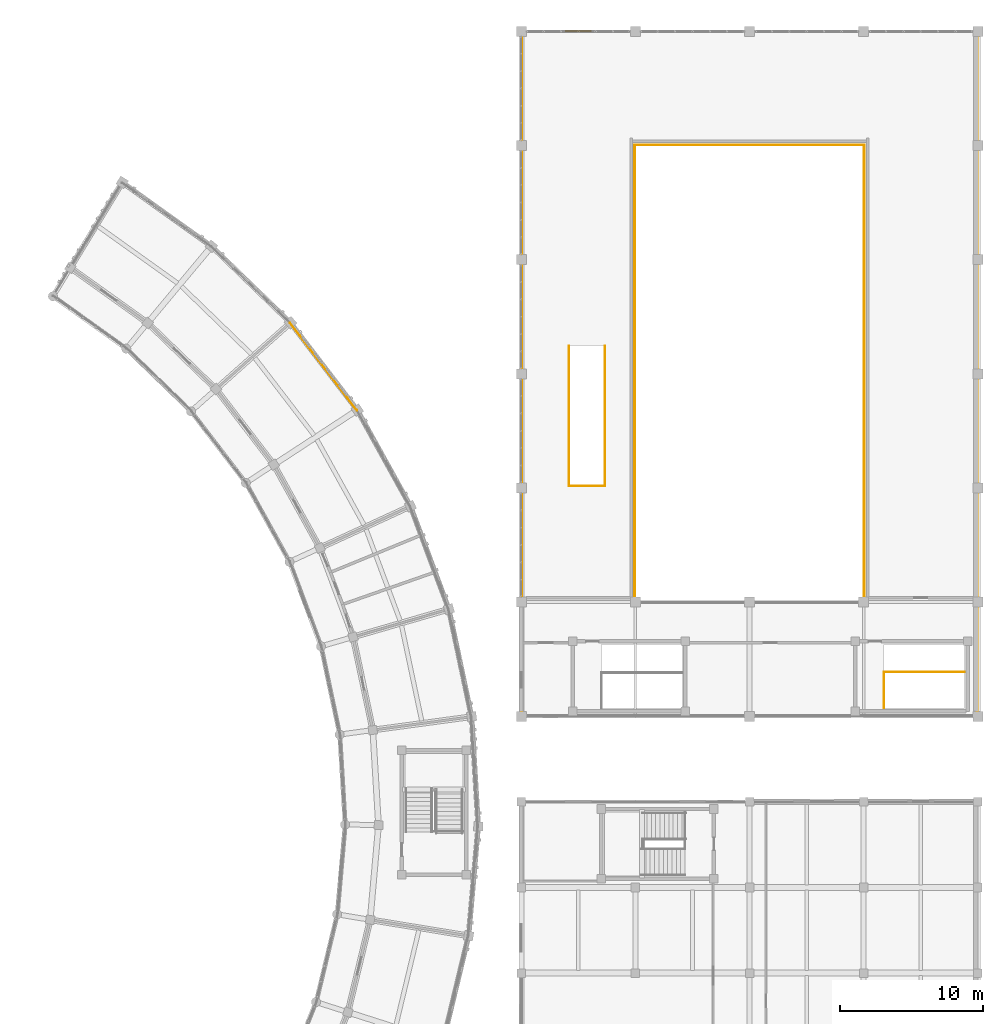
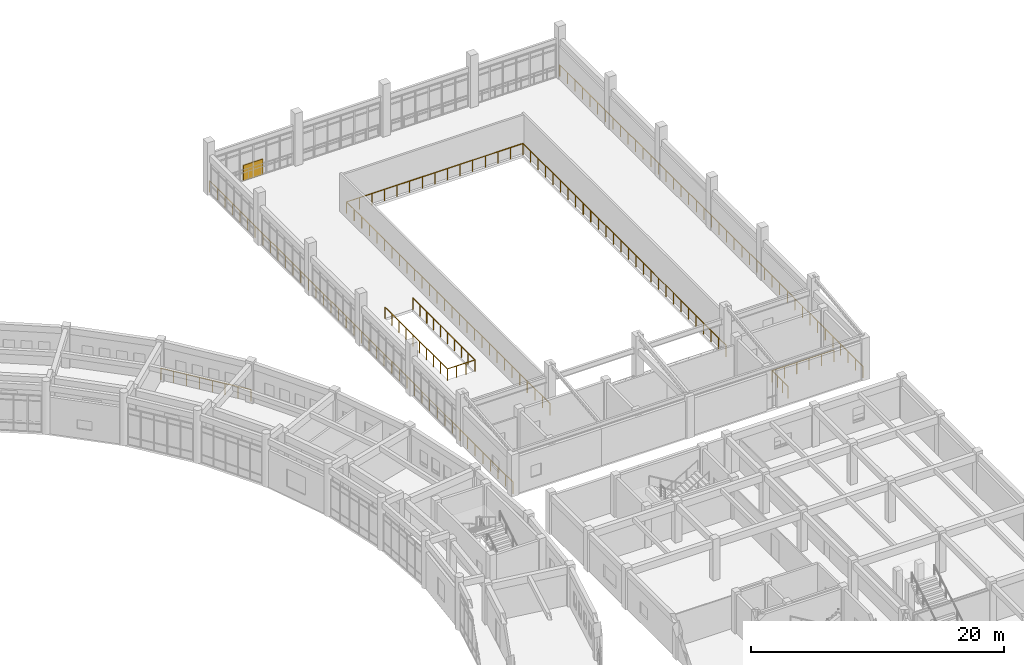
# One storey, part 158 of 159: 11 railings, 1 shading device.
"""IFC4 building model written with IfcOpenShell, lengths in metres."""

from ifc_helpers import new_model, si_unit, direction, frame, origin, origin_2d, place, context, subcontext, project, spatial, rectangle, circle, extrude, material, type_object, element, save


model = new_model("IFC4")

# Units and contexts
model_context = context("Model", 3, precision=1e-05, world=origin(), true_north=direction((0.0, 1.0)))
body_context = subcontext(model_context, "Body", "Model", "MODEL_VIEW")
ifc_project = project(units=[si_unit("LENGTHUNIT", "METRE"), si_unit("AREAUNIT", "SQUARE_METRE"), si_unit("VOLUMEUNIT", "CUBIC_METRE"), si_unit("PLANEANGLEUNIT", "RADIAN"), si_unit("MASSUNIT", "GRAM", prefix="KILO")], contexts=[model_context])

# Site, building, storey
site_placement = place(None, origin())
site = spatial("IfcSite", under=ifc_project, at=site_placement, CompositionType="ELEMENT")
building_placement = place(site_placement, origin())
building = spatial("IfcBuilding", under=site, at=building_placement, Name="Celadon Cloister-Ring School", CompositionType="ELEMENT")
storey_placement = place(building_placement, frame((0.0, 0.0, 4.5)))
storey = spatial("IfcBuildingStorey", under=building, at=storey_placement, Name="L01", CompositionType="ELEMENT", Elevation=4.5)

# Railings
ifc_material_1 = material(Name="Structural steel S355JR", Category="steel")
railing_type_1 = type_object("IfcRailingType", Name="RL-BL1", PredefinedType="BALUSTRADE", material=ifc_material_1)
railing_1_placement = place(storey_placement, frame((130.48193359375, 87.445068359375, 0.0)))
element("IfcRailing", 1, at=railing_1_placement, inside=storey, type_object=railing_type_1, Name="Terrace Balustrade 0033", PredefinedType="BALUSTRADE", context=body_context, shape_type="SweptSolid", body=[
    extrude(circle(Radius=0.02392578125, at=origin_2d()), frame((0.0, 0.0, 1.09619140625), z_axis=(-0.607877382965, 0.794030910783, 0.0), x_axis=(-0.794030910783, -0.607877382965, 0.0)), (0.0, 0.0, 1.0), 7.697265625),
    extrude(circle(Radius=0.02099609375, at=origin_2d()), origin(), (0.0, 0.0, 1.0), 1.072021484375),
    extrude(circle(Radius=0.02099609375, at=origin_2d()), frame((-0.66845703125, 0.873046875, 0.0)), (0.0, 0.0, 1.0), 1.072021484375),
    extrude(circle(Radius=0.02099609375, at=origin_2d()), frame((-1.3369140625, 1.746337890625, 0.0)), (0.0, 0.0, 1.0), 1.072021484375),
    extrude(circle(Radius=0.02099609375, at=origin_2d()), frame((-2.00537109375, 2.619384765625, 0.0)), (0.0, 0.0, 1.0), 1.072021484375),
    extrude(circle(Radius=0.02099609375, at=origin_2d()), frame((-2.673583984375, 3.492431640625, 0.0)), (0.0, 0.0, 1.0), 1.072021484375),
    extrude(circle(Radius=0.02099609375, at=origin_2d()), frame((-3.342041015625, 4.365478515625, 0.0)), (0.0, 0.0, 1.0), 1.072021484375),
    extrude(circle(Radius=0.02099609375, at=origin_2d()), frame((-4.010498046875, 5.23876953125, 0.0)), (0.0, 0.0, 1.0), 1.072021484375),
    extrude(circle(Radius=0.02099609375, at=origin_2d()), frame((-4.678955078125, 6.11181640625, 0.0)), (0.0, 0.0, 1.0), 1.072021484375),
])
railing_2_placement = place(storey_placement, frame((149.9599609375, 73.9599609375, 0.0)))
element("IfcRailing", 2, at=railing_2_placement, inside=storey, type_object=railing_type_1, Name="Terrace Balustrade 0409", PredefinedType="BALUSTRADE", context=body_context, shape_type="SweptSolid", body=[
    extrude(circle(Radius=0.02392578125, at=origin_2d()), frame((0.0, 0.0, 1.09619140625), z_axis=(0.0, 1.0, 0.0), x_axis=(-1.0, 0.0, 0.0)), (0.0, 0.0, 1.0), 32.080078125),
    extrude(circle(Radius=0.02099609375, at=origin_2d()), origin(), (0.0, 0.0, 1.0), 1.072021484375),
    extrude(circle(Radius=0.02099609375, at=origin_2d()), frame((0.0, 1.188232421875, 0.0)), (0.0, 0.0, 1.0), 1.072021484375),
    extrude(circle(Radius=0.02099609375, at=origin_2d()), frame((0.0, 2.376220703125, 0.0)), (0.0, 0.0, 1.0), 1.072021484375),
    extrude(circle(Radius=0.02099609375, at=origin_2d()), frame((0.0, 3.564453125, 0.0)), (0.0, 0.0, 1.0), 1.072021484375),
    extrude(circle(Radius=0.02099609375, at=origin_2d()), frame((0.0, 4.752685546875, 0.0)), (0.0, 0.0, 1.0), 1.072021484375),
    extrude(circle(Radius=0.02099609375, at=origin_2d()), frame((0.0, 5.940673828125, 0.0)), (0.0, 0.0, 1.0), 1.072021484375),
    extrude(circle(Radius=0.02099609375, at=origin_2d()), frame((0.0, 7.12890625, 0.0)), (0.0, 0.0, 1.0), 1.072021484375),
    extrude(circle(Radius=0.02099609375, at=origin_2d()), frame((0.0, 8.317138671875, 0.0)), (0.0, 0.0, 1.0), 1.072021484375),
    extrude(circle(Radius=0.02099609375, at=origin_2d()), frame((0.0, 9.505126953125, 0.0)), (0.0, 0.0, 1.0), 1.072021484375),
    extrude(circle(Radius=0.02099609375, at=origin_2d()), frame((0.0, 10.693359375, 0.0)), (0.0, 0.0, 1.0), 1.072021484375),
    extrude(circle(Radius=0.02099609375, at=origin_2d()), frame((0.0, 11.881591796875, 0.0)), (0.0, 0.0, 1.0), 1.072021484375),
    extrude(circle(Radius=0.02099609375, at=origin_2d()), frame((0.0, 13.069580078125, 0.0)), (0.0, 0.0, 1.0), 1.072021484375),
    extrude(circle(Radius=0.02099609375, at=origin_2d()), frame((0.0, 14.2578125, 0.0)), (0.0, 0.0, 1.0), 1.072021484375),
    extrude(circle(Radius=0.02099609375, at=origin_2d()), frame((0.0, 15.446044921875, 0.0)), (0.0, 0.0, 1.0), 1.072021484375),
    extrude(circle(Radius=0.02099609375, at=origin_2d()), frame((0.0, 16.634033203125, 0.0)), (0.0, 0.0, 1.0), 1.072021484375),
    extrude(circle(Radius=0.02099609375, at=origin_2d()), frame((0.0, 17.822265625, 0.0)), (0.0, 0.0, 1.0), 1.072021484375),
    extrude(circle(Radius=0.02099609375, at=origin_2d()), frame((0.0, 19.010498046875, 0.0)), (0.0, 0.0, 1.0), 1.072021484375),
    extrude(circle(Radius=0.02099609375, at=origin_2d()), frame((0.0, 20.198486328125, 0.0)), (0.0, 0.0, 1.0), 1.072021484375),
    extrude(circle(Radius=0.02099609375, at=origin_2d()), frame((0.0, 21.38671875, 0.0)), (0.0, 0.0, 1.0), 1.072021484375),
    extrude(circle(Radius=0.02099609375, at=origin_2d()), frame((0.0, 22.574951171875, 0.0)), (0.0, 0.0, 1.0), 1.072021484375),
    extrude(circle(Radius=0.02099609375, at=origin_2d()), frame((0.0, 23.762939453125, 0.0)), (0.0, 0.0, 1.0), 1.072021484375),
    extrude(circle(Radius=0.02099609375, at=origin_2d()), frame((0.0, 24.951171875, 0.0)), (0.0, 0.0, 1.0), 1.072021484375),
    extrude(circle(Radius=0.02099609375, at=origin_2d()), frame((0.0, 26.139404296875, 0.0)), (0.0, 0.0, 1.0), 1.072021484375),
    extrude(circle(Radius=0.02099609375, at=origin_2d()), frame((0.0, 27.327392578125, 0.0)), (0.0, 0.0, 1.0), 1.072021484375),
    extrude(circle(Radius=0.02099609375, at=origin_2d()), frame((0.0, 28.515625, 0.0)), (0.0, 0.0, 1.0), 1.072021484375),
    extrude(circle(Radius=0.02099609375, at=origin_2d()), frame((0.0, 29.703857421875, 0.0)), (0.0, 0.0, 1.0), 1.072021484375),
    extrude(circle(Radius=0.02099609375, at=origin_2d()), frame((0.0, 30.891845703125, 0.0)), (0.0, 0.0, 1.0), 1.072021484375),
    extrude(circle(Radius=0.02099609375, at=origin_2d()), frame((0.0, 32.080078125, 0.0)), (0.0, 0.0, 1.0), 1.072021484375),
])
railing_3_placement = place(storey_placement, frame((149.9599609375, 106.0400390625, 0.0)))
element("IfcRailing", 3, at=railing_3_placement, inside=storey, type_object=railing_type_1, Name="Terrace Balustrade 0410", PredefinedType="BALUSTRADE", context=body_context, shape_type="SweptSolid", body=[
    extrude(circle(Radius=0.02392578125, at=origin_2d()), frame((0.0, 0.0, 1.09619140625), z_axis=(1.0, 0.0, 0.0), x_axis=(0.0, 1.0, 0.0)), (0.0, 0.0, 1.0), 16.080078125),
    extrude(circle(Radius=0.02099609375, at=origin_2d()), origin(), (0.0, 0.0, 1.0), 1.072021484375),
    extrude(circle(Radius=0.02099609375, at=origin_2d()), frame((1.148681640625, 0.0, 0.0)), (0.0, 0.0, 1.0), 1.072021484375),
    extrude(circle(Radius=0.02099609375, at=origin_2d()), frame((2.297119140625, 0.0, 0.0)), (0.0, 0.0, 1.0), 1.072021484375),
    extrude(circle(Radius=0.02099609375, at=origin_2d()), frame((3.44580078125, 0.0, 0.0)), (0.0, 0.0, 1.0), 1.072021484375),
    extrude(circle(Radius=0.02099609375, at=origin_2d()), frame((4.59423828125, 0.0, 0.0)), (0.0, 0.0, 1.0), 1.072021484375),
    extrude(circle(Radius=0.02099609375, at=origin_2d()), frame((5.742919921875, 0.0, 0.0)), (0.0, 0.0, 1.0), 1.072021484375),
    extrude(circle(Radius=0.02099609375, at=origin_2d()), frame((6.891357421875, 0.0, 0.0)), (0.0, 0.0, 1.0), 1.072021484375),
    extrude(circle(Radius=0.02099609375, at=origin_2d()), frame((8.0400390625, 0.0, 0.0)), (0.0, 0.0, 1.0), 1.072021484375),
    extrude(circle(Radius=0.02099609375, at=origin_2d()), frame((9.188720703125, 0.0, 0.0)), (0.0, 0.0, 1.0), 1.072021484375),
    extrude(circle(Radius=0.02099609375, at=origin_2d()), frame((10.337158203125, 0.0, 0.0)), (0.0, 0.0, 1.0), 1.072021484375),
    extrude(circle(Radius=0.02099609375, at=origin_2d()), frame((11.48583984375, 0.0, 0.0)), (0.0, 0.0, 1.0), 1.072021484375),
    extrude(circle(Radius=0.02099609375, at=origin_2d()), frame((12.63427734375, 0.0, 0.0)), (0.0, 0.0, 1.0), 1.072021484375),
    extrude(circle(Radius=0.02099609375, at=origin_2d()), frame((13.782958984375, 0.0, 0.0)), (0.0, 0.0, 1.0), 1.072021484375),
    extrude(circle(Radius=0.02099609375, at=origin_2d()), frame((14.931396484375, 0.0, 0.0)), (0.0, 0.0, 1.0), 1.072021484375),
    extrude(circle(Radius=0.02099609375, at=origin_2d()), frame((16.080078125, 0.0, 0.0)), (0.0, 0.0, 1.0), 1.072021484375),
])
railing_4_placement = place(storey_placement, frame((166.0400390625, 106.0400390625, 0.0)))
element("IfcRailing", 4, at=railing_4_placement, inside=storey, type_object=railing_type_1, Name="Terrace Balustrade 0411", PredefinedType="BALUSTRADE", context=body_context, shape_type="SweptSolid", body=[
    extrude(circle(Radius=0.02392578125, at=origin_2d()), frame((0.0, 0.0, 1.09619140625), z_axis=(0.0, -1.0, 0.0), x_axis=(1.0, 0.0, 0.0)), (0.0, 0.0, 1.0), 32.080078125),
    extrude(circle(Radius=0.02099609375, at=origin_2d()), origin(), (0.0, 0.0, 1.0), 1.072021484375),
    extrude(circle(Radius=0.02099609375, at=origin_2d()), frame((0.0, -1.188232421875, 0.0)), (0.0, 0.0, 1.0), 1.072021484375),
    extrude(circle(Radius=0.02099609375, at=origin_2d()), frame((0.0, -2.376220703125, 0.0)), (0.0, 0.0, 1.0), 1.072021484375),
    extrude(circle(Radius=0.02099609375, at=origin_2d()), frame((0.0, -3.564453125, 0.0)), (0.0, 0.0, 1.0), 1.072021484375),
    extrude(circle(Radius=0.02099609375, at=origin_2d()), frame((0.0, -4.752685546875, 0.0)), (0.0, 0.0, 1.0), 1.072021484375),
    extrude(circle(Radius=0.02099609375, at=origin_2d()), frame((0.0, -5.940673828125, 0.0)), (0.0, 0.0, 1.0), 1.072021484375),
    extrude(circle(Radius=0.02099609375, at=origin_2d()), frame((0.0, -7.12890625, 0.0)), (0.0, 0.0, 1.0), 1.072021484375),
    extrude(circle(Radius=0.02099609375, at=origin_2d()), frame((0.0, -8.317138671875, 0.0)), (0.0, 0.0, 1.0), 1.072021484375),
    extrude(circle(Radius=0.02099609375, at=origin_2d()), frame((0.0, -9.505126953125, 0.0)), (0.0, 0.0, 1.0), 1.072021484375),
    extrude(circle(Radius=0.02099609375, at=origin_2d()), frame((0.0, -10.693359375, 0.0)), (0.0, 0.0, 1.0), 1.072021484375),
    extrude(circle(Radius=0.02099609375, at=origin_2d()), frame((0.0, -11.881591796875, 0.0)), (0.0, 0.0, 1.0), 1.072021484375),
    extrude(circle(Radius=0.02099609375, at=origin_2d()), frame((0.0, -13.069580078125, 0.0)), (0.0, 0.0, 1.0), 1.072021484375),
    extrude(circle(Radius=0.02099609375, at=origin_2d()), frame((0.0, -14.2578125, 0.0)), (0.0, 0.0, 1.0), 1.072021484375),
    extrude(circle(Radius=0.02099609375, at=origin_2d()), frame((0.0, -15.446044921875, 0.0)), (0.0, 0.0, 1.0), 1.072021484375),
    extrude(circle(Radius=0.02099609375, at=origin_2d()), frame((0.0, -16.634033203125, 0.0)), (0.0, 0.0, 1.0), 1.072021484375),
    extrude(circle(Radius=0.02099609375, at=origin_2d()), frame((0.0, -17.822265625, 0.0)), (0.0, 0.0, 1.0), 1.072021484375),
    extrude(circle(Radius=0.02099609375, at=origin_2d()), frame((0.0, -19.010498046875, 0.0)), (0.0, 0.0, 1.0), 1.072021484375),
    extrude(circle(Radius=0.02099609375, at=origin_2d()), frame((0.0, -20.198486328125, 0.0)), (0.0, 0.0, 1.0), 1.072021484375),
    extrude(circle(Radius=0.02099609375, at=origin_2d()), frame((0.0, -21.38671875, 0.0)), (0.0, 0.0, 1.0), 1.072021484375),
    extrude(circle(Radius=0.02099609375, at=origin_2d()), frame((0.0, -22.574951171875, 0.0)), (0.0, 0.0, 1.0), 1.072021484375),
    extrude(circle(Radius=0.02099609375, at=origin_2d()), frame((0.0, -23.762939453125, 0.0)), (0.0, 0.0, 1.0), 1.072021484375),
    extrude(circle(Radius=0.02099609375, at=origin_2d()), frame((0.0, -24.951171875, 0.0)), (0.0, 0.0, 1.0), 1.072021484375),
    extrude(circle(Radius=0.02099609375, at=origin_2d()), frame((0.0, -26.139404296875, 0.0)), (0.0, 0.0, 1.0), 1.072021484375),
    extrude(circle(Radius=0.02099609375, at=origin_2d()), frame((0.0, -27.327392578125, 0.0)), (0.0, 0.0, 1.0), 1.072021484375),
    extrude(circle(Radius=0.02099609375, at=origin_2d()), frame((0.0, -28.515625, 0.0)), (0.0, 0.0, 1.0), 1.072021484375),
    extrude(circle(Radius=0.02099609375, at=origin_2d()), frame((0.0, -29.703857421875, 0.0)), (0.0, 0.0, 1.0), 1.072021484375),
    extrude(circle(Radius=0.02099609375, at=origin_2d()), frame((0.0, -30.891845703125, 0.0)), (0.0, 0.0, 1.0), 1.072021484375),
    extrude(circle(Radius=0.02099609375, at=origin_2d()), frame((0.0, -32.080078125, 0.0)), (0.0, 0.0, 1.0), 1.072021484375),
])
railing_5_placement = place(storey_placement, frame((173.9599609375, 66.0400390625, 0.0)))
element("IfcRailing", 5, at=railing_5_placement, inside=storey, type_object=railing_type_1, Name="Terrace Balustrade 0414", PredefinedType="BALUSTRADE", context=body_context, shape_type="SweptSolid", body=[
    extrude(circle(Radius=0.02392578125, at=origin_2d()), frame((0.0, 0.0, 1.09619140625), z_axis=(0.0, 1.0, 0.0), x_axis=(-1.0, 0.0, 0.0)), (0.0, 0.0, 1.0), 47.919921875),
    extrude(circle(Radius=0.02099609375, at=origin_2d()), origin(), (0.0, 0.0, 1.0), 1.072021484375),
    extrude(circle(Radius=0.02099609375, at=origin_2d()), frame((0.0, 1.197998046875, 0.0)), (0.0, 0.0, 1.0), 1.072021484375),
    extrude(circle(Radius=0.02099609375, at=origin_2d()), frame((0.0, 2.39599609375, 0.0)), (0.0, 0.0, 1.0), 1.072021484375),
    extrude(circle(Radius=0.02099609375, at=origin_2d()), frame((0.0, 3.593994140625, 0.0)), (0.0, 0.0, 1.0), 1.072021484375),
    extrude(circle(Radius=0.02099609375, at=origin_2d()), frame((0.0, 4.7919921875, 0.0)), (0.0, 0.0, 1.0), 1.072021484375),
    extrude(circle(Radius=0.02099609375, at=origin_2d()), frame((0.0, 5.989990234375, 0.0)), (0.0, 0.0, 1.0), 1.072021484375),
    extrude(circle(Radius=0.02099609375, at=origin_2d()), frame((0.0, 7.18798828125, 0.0)), (0.0, 0.0, 1.0), 1.072021484375),
    extrude(circle(Radius=0.02099609375, at=origin_2d()), frame((0.0, 8.385986328125, 0.0)), (0.0, 0.0, 1.0), 1.072021484375),
    extrude(circle(Radius=0.02099609375, at=origin_2d()), frame((0.0, 9.583984375, 0.0)), (0.0, 0.0, 1.0), 1.072021484375),
    extrude(circle(Radius=0.02099609375, at=origin_2d()), frame((0.0, 10.781982421875, 0.0)), (0.0, 0.0, 1.0), 1.072021484375),
    extrude(circle(Radius=0.02099609375, at=origin_2d()), frame((0.0, 11.97998046875, 0.0)), (0.0, 0.0, 1.0), 1.072021484375),
    extrude(circle(Radius=0.02099609375, at=origin_2d()), frame((0.0, 13.177978515625, 0.0)), (0.0, 0.0, 1.0), 1.072021484375),
    extrude(circle(Radius=0.02099609375, at=origin_2d()), frame((0.0, 14.3759765625, 0.0)), (0.0, 0.0, 1.0), 1.072021484375),
    extrude(circle(Radius=0.02099609375, at=origin_2d()), frame((0.0, 15.573974609375, 0.0)), (0.0, 0.0, 1.0), 1.072021484375),
    extrude(circle(Radius=0.02099609375, at=origin_2d()), frame((0.0, 16.77197265625, 0.0)), (0.0, 0.0, 1.0), 1.072021484375),
    extrude(circle(Radius=0.02099609375, at=origin_2d()), frame((0.0, 17.969970703125, 0.0)), (0.0, 0.0, 1.0), 1.072021484375),
    extrude(circle(Radius=0.02099609375, at=origin_2d()), frame((0.0, 19.16796875, 0.0)), (0.0, 0.0, 1.0), 1.072021484375),
    extrude(circle(Radius=0.02099609375, at=origin_2d()), frame((0.0, 20.365966796875, 0.0)), (0.0, 0.0, 1.0), 1.072021484375),
    extrude(circle(Radius=0.02099609375, at=origin_2d()), frame((0.0, 21.56396484375, 0.0)), (0.0, 0.0, 1.0), 1.072021484375),
    extrude(circle(Radius=0.02099609375, at=origin_2d()), frame((0.0, 22.761962890625, 0.0)), (0.0, 0.0, 1.0), 1.072021484375),
    extrude(circle(Radius=0.02099609375, at=origin_2d()), frame((0.0, 23.9599609375, 0.0)), (0.0, 0.0, 1.0), 1.072021484375),
    extrude(circle(Radius=0.02099609375, at=origin_2d()), frame((0.0, 25.157958984375, 0.0)), (0.0, 0.0, 1.0), 1.072021484375),
    extrude(circle(Radius=0.02099609375, at=origin_2d()), frame((0.0, 26.35595703125, 0.0)), (0.0, 0.0, 1.0), 1.072021484375),
    extrude(circle(Radius=0.02099609375, at=origin_2d()), frame((0.0, 27.553955078125, 0.0)), (0.0, 0.0, 1.0), 1.072021484375),
    extrude(circle(Radius=0.02099609375, at=origin_2d()), frame((0.0, 28.751953125, 0.0)), (0.0, 0.0, 1.0), 1.072021484375),
    extrude(circle(Radius=0.02099609375, at=origin_2d()), frame((0.0, 29.949951171875, 0.0)), (0.0, 0.0, 1.0), 1.072021484375),
    extrude(circle(Radius=0.02099609375, at=origin_2d()), frame((0.0, 31.14794921875, 0.0)), (0.0, 0.0, 1.0), 1.072021484375),
    extrude(circle(Radius=0.02099609375, at=origin_2d()), frame((0.0, 32.345947265625, 0.0)), (0.0, 0.0, 1.0), 1.072021484375),
    extrude(circle(Radius=0.02099609375, at=origin_2d()), frame((0.0, 33.5439453125, 0.0)), (0.0, 0.0, 1.0), 1.072021484375),
    extrude(circle(Radius=0.02099609375, at=origin_2d()), frame((0.0, 34.741943359375, 0.0)), (0.0, 0.0, 1.0), 1.072021484375),
    extrude(circle(Radius=0.02099609375, at=origin_2d()), frame((0.0, 35.93994140625, 0.0)), (0.0, 0.0, 1.0), 1.072021484375),
    extrude(circle(Radius=0.02099609375, at=origin_2d()), frame((0.0, 37.137939453125, 0.0)), (0.0, 0.0, 1.0), 1.072021484375),
    extrude(circle(Radius=0.02099609375, at=origin_2d()), frame((0.0, 38.3359375, 0.0)), (0.0, 0.0, 1.0), 1.072021484375),
    extrude(circle(Radius=0.02099609375, at=origin_2d()), frame((0.0, 39.533935546875, 0.0)), (0.0, 0.0, 1.0), 1.072021484375),
    extrude(circle(Radius=0.02099609375, at=origin_2d()), frame((0.0, 40.73193359375, 0.0)), (0.0, 0.0, 1.0), 1.072021484375),
    extrude(circle(Radius=0.02099609375, at=origin_2d()), frame((0.0, 41.929931640625, 0.0)), (0.0, 0.0, 1.0), 1.072021484375),
    extrude(circle(Radius=0.02099609375, at=origin_2d()), frame((0.0, 43.1279296875, 0.0)), (0.0, 0.0, 1.0), 1.072021484375),
    extrude(circle(Radius=0.02099609375, at=origin_2d()), frame((0.0, 44.325927734375, 0.0)), (0.0, 0.0, 1.0), 1.072021484375),
    extrude(circle(Radius=0.02099609375, at=origin_2d()), frame((0.0, 45.52392578125, 0.0)), (0.0, 0.0, 1.0), 1.072021484375),
    extrude(circle(Radius=0.02099609375, at=origin_2d()), frame((0.0, 46.721923828125, 0.0)), (0.0, 0.0, 1.0), 1.072021484375),
    extrude(circle(Radius=0.02099609375, at=origin_2d()), frame((0.0, 47.919921875, 0.0)), (0.0, 0.0, 1.0), 1.072021484375),
])
railing_6_placement = place(storey_placement, frame((142.0400390625, 113.9599609375, 0.0)))
element("IfcRailing", 6, at=railing_6_placement, inside=storey, type_object=railing_type_1, Name="Terrace Balustrade 0416", PredefinedType="BALUSTRADE", context=body_context, shape_type="SweptSolid", body=[
    extrude(circle(Radius=0.02392578125, at=origin_2d()), frame((0.0, 0.0, 1.09619140625), z_axis=(0.0, -1.0, 0.0), x_axis=(1.0, 0.0, 0.0)), (0.0, 0.0, 1.0), 47.919921875),
    extrude(circle(Radius=0.02099609375, at=origin_2d()), origin(), (0.0, 0.0, 1.0), 1.072021484375),
    extrude(circle(Radius=0.02099609375, at=origin_2d()), frame((0.0, -1.197998046875, 0.0)), (0.0, 0.0, 1.0), 1.072021484375),
    extrude(circle(Radius=0.02099609375, at=origin_2d()), frame((0.0, -2.39599609375, 0.0)), (0.0, 0.0, 1.0), 1.072021484375),
    extrude(circle(Radius=0.02099609375, at=origin_2d()), frame((0.0, -3.593994140625, 0.0)), (0.0, 0.0, 1.0), 1.072021484375),
    extrude(circle(Radius=0.02099609375, at=origin_2d()), frame((0.0, -4.7919921875, 0.0)), (0.0, 0.0, 1.0), 1.072021484375),
    extrude(circle(Radius=0.02099609375, at=origin_2d()), frame((0.0, -5.989990234375, 0.0)), (0.0, 0.0, 1.0), 1.072021484375),
    extrude(circle(Radius=0.02099609375, at=origin_2d()), frame((0.0, -7.18798828125, 0.0)), (0.0, 0.0, 1.0), 1.072021484375),
    extrude(circle(Radius=0.02099609375, at=origin_2d()), frame((0.0, -8.385986328125, 0.0)), (0.0, 0.0, 1.0), 1.072021484375),
    extrude(circle(Radius=0.02099609375, at=origin_2d()), frame((0.0, -9.583984375, 0.0)), (0.0, 0.0, 1.0), 1.072021484375),
    extrude(circle(Radius=0.02099609375, at=origin_2d()), frame((0.0, -10.781982421875, 0.0)), (0.0, 0.0, 1.0), 1.072021484375),
    extrude(circle(Radius=0.02099609375, at=origin_2d()), frame((0.0, -11.97998046875, 0.0)), (0.0, 0.0, 1.0), 1.072021484375),
    extrude(circle(Radius=0.02099609375, at=origin_2d()), frame((0.0, -13.177978515625, 0.0)), (0.0, 0.0, 1.0), 1.072021484375),
    extrude(circle(Radius=0.02099609375, at=origin_2d()), frame((0.0, -14.3759765625, 0.0)), (0.0, 0.0, 1.0), 1.072021484375),
    extrude(circle(Radius=0.02099609375, at=origin_2d()), frame((0.0, -15.573974609375, 0.0)), (0.0, 0.0, 1.0), 1.072021484375),
    extrude(circle(Radius=0.02099609375, at=origin_2d()), frame((0.0, -16.77197265625, 0.0)), (0.0, 0.0, 1.0), 1.072021484375),
    extrude(circle(Radius=0.02099609375, at=origin_2d()), frame((0.0, -17.969970703125, 0.0)), (0.0, 0.0, 1.0), 1.072021484375),
    extrude(circle(Radius=0.02099609375, at=origin_2d()), frame((0.0, -19.16796875, 0.0)), (0.0, 0.0, 1.0), 1.072021484375),
    extrude(circle(Radius=0.02099609375, at=origin_2d()), frame((0.0, -20.365966796875, 0.0)), (0.0, 0.0, 1.0), 1.072021484375),
    extrude(circle(Radius=0.02099609375, at=origin_2d()), frame((0.0, -21.56396484375, 0.0)), (0.0, 0.0, 1.0), 1.072021484375),
    extrude(circle(Radius=0.02099609375, at=origin_2d()), frame((0.0, -22.761962890625, 0.0)), (0.0, 0.0, 1.0), 1.072021484375),
    extrude(circle(Radius=0.02099609375, at=origin_2d()), frame((0.0, -23.9599609375, 0.0)), (0.0, 0.0, 1.0), 1.072021484375),
    extrude(circle(Radius=0.02099609375, at=origin_2d()), frame((0.0, -25.157958984375, 0.0)), (0.0, 0.0, 1.0), 1.072021484375),
    extrude(circle(Radius=0.02099609375, at=origin_2d()), frame((0.0, -26.35595703125, 0.0)), (0.0, 0.0, 1.0), 1.072021484375),
    extrude(circle(Radius=0.02099609375, at=origin_2d()), frame((0.0, -27.553955078125, 0.0)), (0.0, 0.0, 1.0), 1.072021484375),
    extrude(circle(Radius=0.02099609375, at=origin_2d()), frame((0.0, -28.751953125, 0.0)), (0.0, 0.0, 1.0), 1.072021484375),
    extrude(circle(Radius=0.02099609375, at=origin_2d()), frame((0.0, -29.949951171875, 0.0)), (0.0, 0.0, 1.0), 1.072021484375),
    extrude(circle(Radius=0.02099609375, at=origin_2d()), frame((0.0, -31.14794921875, 0.0)), (0.0, 0.0, 1.0), 1.072021484375),
    extrude(circle(Radius=0.02099609375, at=origin_2d()), frame((0.0, -32.345947265625, 0.0)), (0.0, 0.0, 1.0), 1.072021484375),
    extrude(circle(Radius=0.02099609375, at=origin_2d()), frame((0.0, -33.5439453125, 0.0)), (0.0, 0.0, 1.0), 1.072021484375),
    extrude(circle(Radius=0.02099609375, at=origin_2d()), frame((0.0, -34.741943359375, 0.0)), (0.0, 0.0, 1.0), 1.072021484375),
    extrude(circle(Radius=0.02099609375, at=origin_2d()), frame((0.0, -35.93994140625, 0.0)), (0.0, 0.0, 1.0), 1.072021484375),
    extrude(circle(Radius=0.02099609375, at=origin_2d()), frame((0.0, -37.137939453125, 0.0)), (0.0, 0.0, 1.0), 1.072021484375),
    extrude(circle(Radius=0.02099609375, at=origin_2d()), frame((0.0, -38.3359375, 0.0)), (0.0, 0.0, 1.0), 1.072021484375),
    extrude(circle(Radius=0.02099609375, at=origin_2d()), frame((0.0, -39.533935546875, 0.0)), (0.0, 0.0, 1.0), 1.072021484375),
    extrude(circle(Radius=0.02099609375, at=origin_2d()), frame((0.0, -40.73193359375, 0.0)), (0.0, 0.0, 1.0), 1.072021484375),
    extrude(circle(Radius=0.02099609375, at=origin_2d()), frame((0.0, -41.929931640625, 0.0)), (0.0, 0.0, 1.0), 1.072021484375),
    extrude(circle(Radius=0.02099609375, at=origin_2d()), frame((0.0, -43.1279296875, 0.0)), (0.0, 0.0, 1.0), 1.072021484375),
    extrude(circle(Radius=0.02099609375, at=origin_2d()), frame((0.0, -44.325927734375, 0.0)), (0.0, 0.0, 1.0), 1.072021484375),
    extrude(circle(Radius=0.02099609375, at=origin_2d()), frame((0.0, -45.52392578125, 0.0)), (0.0, 0.0, 1.0), 1.072021484375),
    extrude(circle(Radius=0.02099609375, at=origin_2d()), frame((0.0, -46.721923828125, 0.0)), (0.0, 0.0, 1.0), 1.072021484375),
    extrude(circle(Radius=0.02099609375, at=origin_2d()), frame((0.0, -47.919921875, 0.0)), (0.0, 0.0, 1.0), 1.072021484375),
])
ifc_material_2 = material(Name="Structural steel S355JR", Category="steel")
railing_type_2 = type_object("IfcRailingType", Name="RL-BL2", PredefinedType="BALUSTRADE", material=ifc_material_2)
railing_7_placement = place(storey_placement, frame((167.419921875, 66.590087890625, 0.0)))
element("IfcRailing", 7, at=railing_7_placement, inside=storey, type_object=railing_type_2, Name="Interior Guard 0167", PredefinedType="BALUSTRADE", context=body_context, shape_type="SweptSolid", body=[
    extrude(circle(Radius=0.02392578125, at=origin_2d()), frame((0.0, 0.0, 1.09619140625), z_axis=(0.0, 1.0, 0.0), x_axis=(-1.0, 0.0, 0.0)), (0.0, 0.0, 1.0), 2.52001953125),
    extrude(circle(Radius=0.02099609375, at=origin_2d()), origin(), (0.0, 0.0, 1.0), 1.072021484375),
    extrude(circle(Radius=0.02099609375, at=origin_2d()), frame((0.0, 0.840087890625, 0.0)), (0.0, 0.0, 1.0), 1.072021484375),
    extrude(circle(Radius=0.02099609375, at=origin_2d()), frame((0.0, 1.679931640625, 0.0)), (0.0, 0.0, 1.0), 1.072021484375),
    extrude(circle(Radius=0.02099609375, at=origin_2d()), frame((0.0, 2.52001953125, 0.0)), (0.0, 0.0, 1.0), 1.072021484375),
])
railing_8_placement = place(storey_placement, frame((167.419921875, 69.110107421875, 0.0)))
element("IfcRailing", 8, at=railing_8_placement, inside=storey, type_object=railing_type_2, Name="Interior Guard 0168", PredefinedType="BALUSTRADE", context=body_context, shape_type="SweptSolid", body=[
    extrude(circle(Radius=0.02392578125, at=origin_2d()), frame((0.0, 0.0, 1.09619140625), z_axis=(1.0, 0.0, 0.0), x_axis=(0.0, 1.0, 0.0)), (0.0, 0.0, 1.0), 5.64013671875),
    extrude(circle(Radius=0.02099609375, at=origin_2d()), origin(), (0.0, 0.0, 1.0), 1.072021484375),
    extrude(circle(Radius=0.02099609375, at=origin_2d()), frame((1.1279296875, 0.0, 0.0)), (0.0, 0.0, 1.0), 1.072021484375),
    extrude(circle(Radius=0.02099609375, at=origin_2d()), frame((2.256103515625, 0.0, 0.0)), (0.0, 0.0, 1.0), 1.072021484375),
    extrude(circle(Radius=0.02099609375, at=origin_2d()), frame((3.384033203125, 0.0, 0.0)), (0.0, 0.0, 1.0), 1.072021484375),
    extrude(circle(Radius=0.02099609375, at=origin_2d()), frame((4.51220703125, 0.0, 0.0)), (0.0, 0.0, 1.0), 1.072021484375),
    extrude(circle(Radius=0.02099609375, at=origin_2d()), frame((5.64013671875, 0.0, 0.0)), (0.0, 0.0, 1.0), 1.072021484375),
])
railing_9_placement = place(storey_placement, frame((145.3349609375, 91.949951171875, 0.0)))
element("IfcRailing", 9, at=railing_9_placement, inside=storey, type_object=railing_type_2, Name="Interior Guard 0284", PredefinedType="BALUSTRADE", context=body_context, shape_type="SweptSolid", body=[
    extrude(circle(Radius=0.02392578125, at=origin_2d()), frame((0.0, 0.0, 1.09619140625), z_axis=(0.0, -1.0, 0.0), x_axis=(1.0, 0.0, 0.0)), (0.0, 0.0, 1.0), 9.81494140625),
    extrude(circle(Radius=0.02099609375, at=origin_2d()), origin(), (0.0, 0.0, 1.0), 1.072021484375),
    extrude(circle(Radius=0.02099609375, at=origin_2d()), frame((0.0, -1.090576171875, 0.0)), (0.0, 0.0, 1.0), 1.072021484375),
    extrude(circle(Radius=0.02099609375, at=origin_2d()), frame((0.0, -2.18115234375, 0.0)), (0.0, 0.0, 1.0), 1.072021484375),
    extrude(circle(Radius=0.02099609375, at=origin_2d()), frame((0.0, -3.271728515625, 0.0)), (0.0, 0.0, 1.0), 1.072021484375),
    extrude(circle(Radius=0.02099609375, at=origin_2d()), frame((0.0, -4.3623046875, 0.0)), (0.0, 0.0, 1.0), 1.072021484375),
    extrude(circle(Radius=0.02099609375, at=origin_2d()), frame((0.0, -5.45263671875, 0.0)), (0.0, 0.0, 1.0), 1.072021484375),
    extrude(circle(Radius=0.02099609375, at=origin_2d()), frame((0.0, -6.543212890625, 0.0)), (0.0, 0.0, 1.0), 1.072021484375),
    extrude(circle(Radius=0.02099609375, at=origin_2d()), frame((0.0, -7.6337890625, 0.0)), (0.0, 0.0, 1.0), 1.072021484375),
    extrude(circle(Radius=0.02099609375, at=origin_2d()), frame((0.0, -8.724365234375, 0.0)), (0.0, 0.0, 1.0), 1.072021484375),
    extrude(circle(Radius=0.02099609375, at=origin_2d()), frame((0.0, -9.81494140625, 0.0)), (0.0, 0.0, 1.0), 1.072021484375),
])
railing_10_placement = place(storey_placement, frame((145.3349609375, 82.135009765625, 0.0)))
element("IfcRailing", 10, at=railing_10_placement, inside=storey, type_object=railing_type_2, Name="Interior Guard 0285", PredefinedType="BALUSTRADE", context=body_context, shape_type="SweptSolid", body=[
    extrude(circle(Radius=0.02392578125, at=origin_2d()), frame((0.0, 0.0, 1.09619140625), z_axis=(1.0, 0.0, 0.0), x_axis=(0.0, 1.0, 0.0)), (0.0, 0.0, 1.0), 2.530029296875),
    extrude(circle(Radius=0.02099609375, at=origin_2d()), origin(), (0.0, 0.0, 1.0), 1.072021484375),
    extrude(circle(Radius=0.02099609375, at=origin_2d()), frame((0.84326171875, 0.0, 0.0)), (0.0, 0.0, 1.0), 1.072021484375),
    extrude(circle(Radius=0.02099609375, at=origin_2d()), frame((1.686767578125, 0.0, 0.0)), (0.0, 0.0, 1.0), 1.072021484375),
    extrude(circle(Radius=0.02099609375, at=origin_2d()), frame((2.530029296875, 0.0, 0.0)), (0.0, 0.0, 1.0), 1.072021484375),
])
railing_11_placement = place(storey_placement, frame((147.864990234375, 82.135009765625, 0.0)))
element("IfcRailing", 11, at=railing_11_placement, inside=storey, type_object=railing_type_2, Name="Interior Guard 0286", PredefinedType="BALUSTRADE", context=body_context, shape_type="SweptSolid", body=[
    extrude(circle(Radius=0.02392578125, at=origin_2d()), frame((0.0, 0.0, 1.09619140625), z_axis=(0.0, 1.0, 0.0), x_axis=(-1.0, 0.0, 0.0)), (0.0, 0.0, 1.0), 9.81494140625),
    extrude(circle(Radius=0.02099609375, at=origin_2d()), origin(), (0.0, 0.0, 1.0), 1.072021484375),
    extrude(circle(Radius=0.02099609375, at=origin_2d()), frame((0.0, 1.090576171875, 0.0)), (0.0, 0.0, 1.0), 1.072021484375),
    extrude(circle(Radius=0.02099609375, at=origin_2d()), frame((0.0, 2.18115234375, 0.0)), (0.0, 0.0, 1.0), 1.072021484375),
    extrude(circle(Radius=0.02099609375, at=origin_2d()), frame((0.0, 3.271728515625, 0.0)), (0.0, 0.0, 1.0), 1.072021484375),
    extrude(circle(Radius=0.02099609375, at=origin_2d()), frame((0.0, 4.3623046875, 0.0)), (0.0, 0.0, 1.0), 1.072021484375),
    extrude(circle(Radius=0.02099609375, at=origin_2d()), frame((0.0, 5.45263671875, 0.0)), (0.0, 0.0, 1.0), 1.072021484375),
    extrude(circle(Radius=0.02099609375, at=origin_2d()), frame((0.0, 6.543212890625, 0.0)), (0.0, 0.0, 1.0), 1.072021484375),
    extrude(circle(Radius=0.02099609375, at=origin_2d()), frame((0.0, 7.6337890625, 0.0)), (0.0, 0.0, 1.0), 1.072021484375),
    extrude(circle(Radius=0.02099609375, at=origin_2d()), frame((0.0, 8.724365234375, 0.0)), (0.0, 0.0, 1.0), 1.072021484375),
    extrude(circle(Radius=0.02099609375, at=origin_2d()), frame((0.0, 9.81494140625, 0.0)), (0.0, 0.0, 1.0), 1.072021484375),
])

# Shading device
ifc_material_3 = material(Name="Glazed celadon architectural terracotta", Category="masonry")
shading_device_type = type_object("IfcShadingDeviceType", Name="SD-03", PredefinedType="JALOUSIE", material=ifc_material_3)
shading_device_placement = place(storey_placement, frame((146.0, 114.02001953125, 0.0), z_axis=(0.0, 0.0, 1.0), x_axis=(1.0, 0.0, 0.0)))
element("IfcShadingDevice", 12, at=shading_device_placement, inside=storey, type_object=shading_device_type, Name="Ventanilla Jalousie Screen 08", PredefinedType="JALOUSIE", context=body_context, shape_type="SweptSolid", body=[
    extrude(rectangle(XDim=1.800048828125, YDim=0.1201171875, at=origin_2d()), origin(), (0.0, 0.0, 1.0), 1.5),
])

save(model, "model.ifc")
